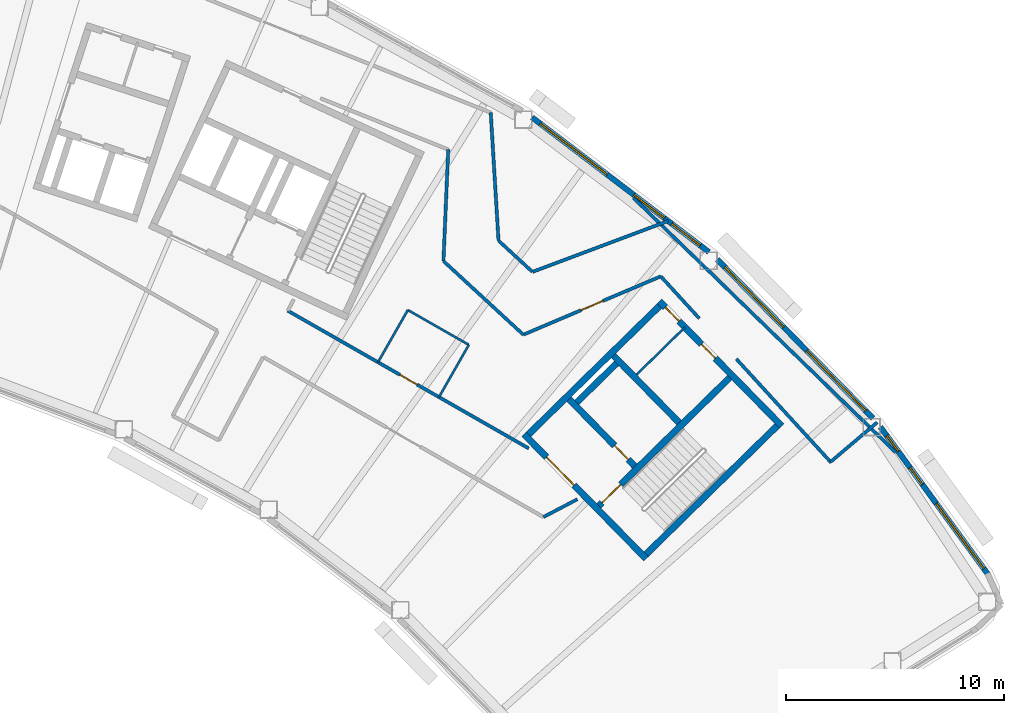
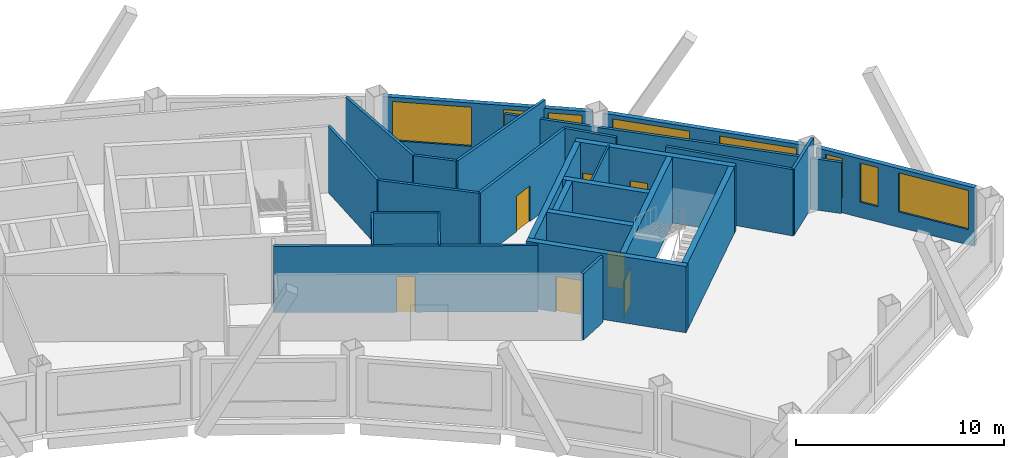
# One storey, part 8 of 12: 27 walls, 8 windows, 7 doors, 15 openings.
"""IFC4 building model written with IfcOpenShell, lengths in metres."""

from ifc_helpers import new_model, si_unit, direction, frame, frame_2d, origin, place, context, subcontext, project, spatial, rectangle, extrude, material, layer, layer_set, type_object, element, fill, save


model = new_model("IFC4")

# Units and contexts
model_context = context("Model", 3, precision=1e-05, world=origin(), true_north=direction((0.0, 1.0)))
body_context = subcontext(model_context, "Body", "Model", "MODEL_VIEW")
ifc_project = project(units=[si_unit("LENGTHUNIT", "METRE"), si_unit("AREAUNIT", "SQUARE_METRE"), si_unit("VOLUMEUNIT", "CUBIC_METRE"), si_unit("PLANEANGLEUNIT", "RADIAN"), si_unit("MASSUNIT", "GRAM", prefix="KILO")], contexts=[model_context])

# Site, building, storey
site_placement = place(None, origin())
site = spatial("IfcSite", under=ifc_project, at=site_placement, CompositionType="ELEMENT")
building_placement = place(site_placement, origin())
building = spatial("IfcBuilding", under=site, at=building_placement, Name="Tuul Gate Civic Tower", CompositionType="ELEMENT")
storey_placement = place(building_placement, frame((0.0, 0.0, 328.10009765625)))
storey = spatial("IfcBuildingStorey", under=building, at=storey_placement, Name="Level 74", CompositionType="ELEMENT", Elevation=328.10009765625)

# Wall, opening, door
ifc_material_1 = material(Name="Concrete C50/60", Category="concrete")
ifc_layer_1 = layer(ifc_material_1, 0.300048828125)
ifc_layer_set_1 = layer_set([ifc_layer_1], Name="Concrete C50/60")
wall_type_1 = type_object("IfcWallType", Name="Core wall C50/60", PredefinedType="SHEAR", material=ifc_layer_set_1)
wall_1_placement = place(storey_placement, frame((48.22509765625, -18.327880859375, 0.0), z_axis=(0.0, 0.0, 1.0), x_axis=(-0.700021979774, 0.714121297703, 0.0)))
wall_1 = element("IfcWall", 1, at=wall_1_placement, inside=storey, type_object=wall_type_1, Name="Core wall", PredefinedType="SHEAR", context=body_context, shape_type="SweptSolid", body=[
    extrude(rectangle(XDim=8.0, YDim=0.300048828125, at=frame_2d((4.0, 0.0))), origin(), (0.0, 0.0, 1.0), 3.89990234375),
])
opening_1_placement = place(wall_1_placement, frame((4.72509765625, 0.0, 0.0)))
opening_1 = element("IfcOpeningElement", 2, at=opening_1_placement, cuts=wall_1, Name="Opening LB-E1-LOBBY-1", PredefinedType="OPENING", context=body_context, shape_type="SweptSolid", body=[
    extrude(rectangle(XDim=1.800048828125, YDim=2.10009765625, at=frame_2d((0.89990234375, 1.050048828125))), frame((0.0, 0.16015625, 0.0), z_axis=(0.0, -1.0, 0.0), x_axis=(1.0, 0.0, 0.0)), (0.0, 0.0, 1.0), 0.320068359375),
])
ifc_material_2 = material(Name="Steel", Category="steel")
door_type_1 = type_object("IfcDoorType", Name="Lobby door", OperationType="DOUBLE_DOOR_SINGLE_SWING", PredefinedType="DOOR", material=ifc_material_2)
door_1_placement = place(opening_1_placement, frame((1.800048828125, 0.0, 0.0), z_axis=(0.0, 0.0, 1.0), x_axis=(-1.0, 0.0, 0.0)))
door_1 = element("IfcDoor", 3, at=door_1_placement, inside=storey, type_object=door_type_1, Name="Lobby door E1-LOBBY", OperationType="DOUBLE_DOOR_SINGLE_SWING", OverallHeight=2.10009765625, OverallWidth=1.800048828125, PredefinedType="DOOR", context=body_context, shape_type="SweptSolid", body=[
    extrude(rectangle(XDim=1.800048828125, YDim=2.10009765625, at=frame_2d((0.900146484375, 1.050048828125))), frame((0.0, 0.02490234375, 0.0), z_axis=(0.0, -1.0, 0.0), x_axis=(1.0, 0.0, 0.0)), (0.0, 0.0, 1.0), 0.050048828125),
])
fill(opening_1, door_1)

wall_2_placement = place(storey_placement, frame((47.701904296875, -14.079833984375, 0.0), z_axis=(0.0, 0.0, 1.0), x_axis=(-0.700002721075, 0.714140175657, 0.0)))
wall_2 = element("IfcWall", 4, at=wall_2_placement, inside=storey, type_object=wall_type_1, Name="Core wall", PredefinedType="SHEAR", context=body_context, shape_type="SweptSolid", body=[
    extrude(rectangle(XDim=4.300048828125, YDim=0.300048828125, at=frame_2d((2.14990234375, 0.0))), origin(), (0.0, 0.0, 1.0), 3.89990234375),
])
opening_2_placement = place(wall_2_placement, frame((0.425048828125, 0.0, 0.0)))
opening_2 = element("IfcOpeningElement", 5, at=opening_2_placement, cuts=wall_2, Name="Opening FB-E1A1", PredefinedType="OPENING", context=body_context, shape_type="SweptSolid", body=[
    extrude(rectangle(XDim=0.89990234375, YDim=2.10009765625, at=frame_2d((0.449951171875, 1.050048828125))), frame((0.0, 0.16015625, 0.0), z_axis=(0.0, -1.0, 0.0), x_axis=(1.0, 0.0, 0.0)), (0.0, 0.0, 1.0), 0.320068359375),
])
ifc_material_3 = material(Name="Steel", Category="steel")
door_type_2 = type_object("IfcDoorType", Name="Store door", OperationType="NOTDEFINED", PredefinedType="DOOR", material=ifc_material_3)
door_2_placement = place(opening_2_placement, frame((0.89990234375, 0.0, 0.0), z_axis=(0.0, 0.0, 1.0), x_axis=(-1.0, 0.0, 0.0)))
door_2 = element("IfcDoor", 6, at=door_2_placement, inside=storey, type_object=door_type_2, Name="Store door E1A1", OperationType="SINGLE_SWING_RIGHT", OverallHeight=2.10009765625, OverallWidth=0.89990234375, PredefinedType="DOOR", context=body_context, shape_type="SweptSolid", body=[
    extrude(rectangle(XDim=0.89990234375, YDim=2.10009765625, at=frame_2d((0.449951171875, 1.050048828125))), frame((0.0, 0.02490234375, 0.0), z_axis=(0.0, -1.0, 0.0), x_axis=(1.0, 0.0, 0.0)), (0.0, 0.0, 1.0), 0.050048828125),
])
fill(opening_2, door_2)

# Wall
wall_3_placement = place(storey_placement, frame((49.737060546875, -12.0849609375, 0.0), z_axis=(0.0, 0.0, 1.0), x_axis=(-0.700002721075, 0.714140175657, 0.0)))
element("IfcWall", 7, at=wall_3_placement, inside=storey, type_object=wall_type_1, Name="Core wall", PredefinedType="SHEAR", context=body_context, shape_type="SweptSolid", body=[
    extrude(rectangle(XDim=4.300048828125, YDim=0.300048828125, at=frame_2d((2.14990234375, 0.0))), origin(), (0.0, 0.0, 1.0), 3.89990234375),
])

# Wall, openings, doors
wall_4_placement = place(storey_placement, frame((54.43798828125, -12.23779296875, 0.0), z_axis=(0.0, 0.0, 1.0), x_axis=(-0.700021979774, 0.714121297703, 0.0)))
wall_4 = element("IfcWall", 8, at=wall_4_placement, inside=storey, type_object=wall_type_1, Name="Core wall", PredefinedType="SHEAR", context=body_context, shape_type="SweptSolid", body=[
    extrude(rectangle(XDim=8.0, YDim=0.300048828125, at=frame_2d((4.0, 0.0))), origin(), (0.0, 0.0, 1.0), 3.89990234375),
])
opening_3_placement = place(wall_4_placement, frame((4.34375, 0.0, 0.0)))
opening_3 = element("IfcOpeningElement", 9, at=opening_3_placement, cuts=wall_4, Name="Opening AB-D16", PredefinedType="OPENING", context=body_context, shape_type="SweptSolid", body=[
    extrude(rectangle(XDim=0.89990234375, YDim=2.10009765625, at=frame_2d((0.449951171875, 1.050048828125))), frame((0.0, 0.16015625, 0.0), z_axis=(0.0, -1.0, 0.0), x_axis=(1.0, 0.0, 0.0)), (0.0, 0.0, 1.0), 0.320068359375),
])
opening_4_placement = place(wall_4_placement, frame((6.71875, 0.0, 0.0)))
opening_4 = element("IfcOpeningElement", 10, at=opening_4_placement, cuts=wall_4, Name="Opening AB-D17", PredefinedType="OPENING", context=body_context, shape_type="SweptSolid", body=[
    extrude(rectangle(XDim=0.89990234375, YDim=2.10009765625, at=frame_2d((0.449951171875, 1.050048828125))), frame((0.0, 0.16015625, 0.0), z_axis=(0.0, -1.0, 0.0), x_axis=(1.0, 0.0, 0.0)), (0.0, 0.0, 1.0), 0.320068359375),
])
ifc_material_4 = material(Name="Timber door leaf", Category="wood")
door_type_3 = type_object("IfcDoorType", Name="Door D09", OperationType="NOTDEFINED", PredefinedType="DOOR", material=ifc_material_4)
door_3_placement = place(opening_3_placement, origin())
door_3 = element("IfcDoor", 11, at=door_3_placement, inside=storey, type_object=door_type_3, Name="Door AB-D16", OperationType="SINGLE_SWING_LEFT", OverallHeight=2.10009765625, OverallWidth=0.89990234375, PredefinedType="DOOR", context=body_context, shape_type="SweptSolid", body=[
    extrude(rectangle(XDim=0.89990234375, YDim=2.10009765625, at=frame_2d((0.449951171875, 1.050048828125))), frame((0.0, 0.02490234375, 0.0), z_axis=(0.0, -1.0, 0.0), x_axis=(1.0, 0.0, 0.0)), (0.0, 0.0, 1.0), 0.050048828125),
])
fill(opening_3, door_3)
door_4_placement = place(opening_4_placement, origin())
door_4 = element("IfcDoor", 12, at=door_4_placement, inside=storey, type_object=door_type_3, Name="Door AB-D17", OperationType="SINGLE_SWING_LEFT", OverallHeight=2.10009765625, OverallWidth=0.89990234375, PredefinedType="DOOR", context=body_context, shape_type="SweptSolid", body=[
    extrude(rectangle(XDim=0.89990234375, YDim=2.10009765625, at=frame_2d((0.449951171875, 1.050048828125))), frame((0.0, 0.02490234375, 0.0), z_axis=(0.0, -1.0, 0.0), x_axis=(1.0, 0.0, 0.0)), (0.0, 0.0, 1.0), 0.050048828125),
])
fill(opening_4, door_4)

# Wall
wall_5_placement = place(storey_placement, frame((48.227294921875, -18.115966796875, 0.0), z_axis=(0.0, 0.0, 1.0), x_axis=(0.714105315431, 0.700038283577, 0.0)))
element("IfcWall", 13, at=wall_5_placement, inside=storey, type_object=wall_type_1, Name="Core wall", PredefinedType="SHEAR", context=body_context, shape_type="SweptSolid", body=[
    extrude(rectangle(XDim=8.400146484375, YDim=0.300048828125, at=frame_2d((4.2001953125, 0.0))), origin(), (0.0, 0.0, 1.0), 3.89990234375),
])

# Wall, opening, door
wall_6_placement = place(storey_placement, frame((46.05712890625, -15.902099609375, 0.0), z_axis=(0.0, 0.0, 1.0), x_axis=(0.714134086973, 0.700008932674, 0.0)))
wall_6 = element("IfcWall", 14, at=wall_6_placement, inside=storey, type_object=wall_type_1, Name="Core wall", PredefinedType="SHEAR", context=body_context, shape_type="SweptSolid", body=[
    extrude(rectangle(XDim=8.400146484375, YDim=0.300048828125, at=frame_2d((4.2001953125, 0.0))), origin(), (0.0, 0.0, 1.0), 3.89990234375),
])
opening_5_placement = place(wall_6_placement, frame((0.199951171875, 0.0, 0.0)))
opening_5 = element("IfcOpeningElement", 15, at=opening_5_placement, cuts=wall_6, Name="Opening SD-ST-3", PredefinedType="OPENING", context=body_context, shape_type="SweptSolid", body=[
    extrude(rectangle(XDim=1.199951171875, YDim=2.10009765625, at=frame_2d((0.60009765625, 1.050048828125))), frame((0.0, 0.16015625, 0.0), z_axis=(0.0, -1.0, 0.0), x_axis=(1.0, 0.0, 0.0)), (0.0, 0.0, 1.0), 0.320068359375),
])
ifc_material_5 = material(Name="Steel", Category="steel")
door_type_4 = type_object("IfcDoorType", Name="Stair door", OperationType="NOTDEFINED", PredefinedType="DOOR", material=ifc_material_5)
door_5_placement = place(opening_5_placement, origin())
door_5 = element("IfcDoor", 16, at=door_5_placement, inside=storey, type_object=door_type_4, Name="Stair door ST-3", OperationType="SINGLE_SWING_LEFT", OverallHeight=2.10009765625, OverallWidth=1.199951171875, PredefinedType="DOOR", context=body_context, shape_type="SweptSolid", body=[
    extrude(rectangle(XDim=1.199951171875, YDim=2.10009765625, at=frame_2d((0.60009765625, 1.050048828125))), frame((0.0, 0.02490234375, 0.0), z_axis=(0.0, -1.0, 0.0), x_axis=(1.0, 0.0, 0.0)), (0.0, 0.0, 1.0), 0.050048828125),
])
fill(opening_5, door_5)

# Walls
wall_7_placement = place(storey_placement, frame((45.0439453125, -11.154052734375, 0.0), z_axis=(0.0, 0.0, 1.0), x_axis=(0.714108498262, 0.700035036773, 0.0)))
element("IfcWall", 17, at=wall_7_placement, inside=storey, type_object=wall_type_1, Name="Core wall", PredefinedType="SHEAR", context=body_context, shape_type="SweptSolid", body=[
    extrude(rectangle(XDim=2.550048828125, YDim=0.300048828125, at=frame_2d((1.27490234375, 0.0))), origin(), (0.0, 0.0, 1.0), 3.89990234375),
])
wall_8_placement = place(storey_placement, frame((42.837158203125, -12.616943359375, 0.0), z_axis=(0.0, 0.0, 1.0), x_axis=(0.714119844755, 0.700023461983, 0.0)))
element("IfcWall", 18, at=wall_8_placement, inside=storey, type_object=wall_type_1, Name="Core wall", PredefinedType="SHEAR", context=body_context, shape_type="SweptSolid", body=[
    extrude(rectangle(XDim=8.39990234375, YDim=0.300048828125, at=frame_2d((4.199951171875, 0.0))), origin(), (0.0, 0.0, 1.0), 3.89990234375),
])
ifc_material_6 = material(Name="Gypsum board partition")
ifc_layer_2 = layer(ifc_material_6, 0.14990234375)
ifc_layer_set_2 = layer_set([ifc_layer_2], Name="Gypsum board partition")
wall_type_2 = type_object("IfcWallType", Name="Corridor wall P150", PredefinedType="PARTITIONING", material=ifc_layer_set_2)
wall_9_placement = place(storey_placement, frame((56.680419921875, -13.884521484375, 0.0), z_axis=(0.0, 0.0, 1.0), x_axis=(0.762827080331, 0.646602540603, 0.0)))
element("IfcWall", 19, at=wall_9_placement, inside=storey, type_object=wall_type_2, Name="p005", PredefinedType="PARTITIONING", context=body_context, shape_type="SweptSolid", body=[
    extrude(rectangle(XDim=2.800048828125, YDim=0.14990234375, at=frame_2d((1.39990234375, 0.0))), origin(), (0.0, 0.0, 1.0), 3.89990234375),
])
wall_10_placement = place(storey_placement, frame((43.022705078125, -5.169677734375, 0.0), z_axis=(0.0, 0.0, 1.0), x_axis=(0.936259625326, 0.351308858391, 0.0)))
element("IfcWall", 20, at=wall_10_placement, inside=storey, type_object=wall_type_2, Name="p008", PredefinedType="PARTITIONING", context=body_context, shape_type="SweptSolid", body=[
    extrude(rectangle(XDim=6.637451171875, YDim=0.14990234375, at=frame_2d((3.31884765625, 0.0))), origin(), (0.0, 0.0, 1.0), 3.89990234375),
])
wall_11_placement = place(storey_placement, frame((41.4609375, -3.74462890625, 0.0), z_axis=(0.0, 0.0, 1.0), x_axis=(0.73520477324, -0.677845071831, 0.0)))
element("IfcWall", 21, at=wall_11_placement, inside=storey, type_object=wall_type_2, Name="p009", PredefinedType="PARTITIONING", context=body_context, shape_type="SweptSolid", body=[
    extrude(rectangle(XDim=2.098388671875, YDim=0.14990234375, at=frame_2d((1.04931640625, 0.0))), origin(), (0.0, 0.0, 1.0), 3.89990234375),
])
wall_12_placement = place(storey_placement, frame((41.09814453125, 2.126708984375, 0.0), z_axis=(0.0, 0.0, 1.0), x_axis=(0.060778723393, -0.99815126448, 0.0)))
element("IfcWall", 22, at=wall_12_placement, inside=storey, type_object=wall_type_2, Name="p010", PredefinedType="PARTITIONING", context=body_context, shape_type="SweptSolid", body=[
    extrude(rectangle(XDim=5.87255859375, YDim=0.14990234375, at=frame_2d((2.936279296875, 0.0))), origin(), (0.0, 0.0, 1.0), 3.89990234375),
])

# Wall, opening, door
wall_13_placement = place(storey_placement, frame((31.793701171875, -6.953857421875, 0.0), z_axis=(0.0, 0.0, 1.0), x_axis=(0.868275010621, -0.496083164329, 0.0)))
wall_13 = element("IfcWall", 23, at=wall_13_placement, inside=storey, type_object=wall_type_2, Name="p015", PredefinedType="PARTITIONING", context=body_context, shape_type="SweptSolid", body=[
    extrude(rectangle(XDim=12.72802734375, YDim=0.14990234375, at=frame_2d((6.364013671875, 0.0))), origin(), (0.0, 0.0, 1.0), 3.89990234375),
])
opening_6_placement = place(wall_13_placement, frame((5.923583984375, 0.0, 0.0)))
opening_6 = element("IfcOpeningElement", 24, at=opening_6_placement, cuts=wall_13, Name="Opening AB-D09", PredefinedType="OPENING", context=body_context, shape_type="SweptSolid", body=[
    extrude(rectangle(XDim=0.89990234375, YDim=2.10009765625, at=frame_2d((0.449951171875, 1.050048828125))), frame((0.0, 0.0849609375, 0.0), z_axis=(0.0, -1.0, 0.0), x_axis=(1.0, 0.0, 0.0)), (0.0, 0.0, 1.0), 0.169921875),
])
door_6_placement = place(opening_6_placement, origin())
door_6 = element("IfcDoor", 25, at=door_6_placement, inside=storey, type_object=door_type_3, Name="Door AB-D09", OperationType="SINGLE_SWING_RIGHT", OverallHeight=2.10009765625, OverallWidth=0.89990234375, PredefinedType="DOOR", context=body_context, shape_type="SweptSolid", body=[
    extrude(rectangle(XDim=0.89990234375, YDim=2.10009765625, at=frame_2d((0.449951171875, 1.050048828125))), frame((0.0, 0.02490234375, 0.0), z_axis=(0.0, -1.0, 0.0), x_axis=(1.0, 0.0, 0.0)), (0.0, 0.0, 1.0), 0.050048828125),
])
fill(opening_6, door_6)

# Walls
wall_14_placement = place(storey_placement, frame((48.8955078125, -5.377685546875, 0.0), z_axis=(0.0, 0.0, 1.0), x_axis=(0.674981058804, -0.737835056267, 0.0)))
element("IfcWall", 26, at=wall_14_placement, inside=storey, type_object=wall_type_2, Name="p034", PredefinedType="PARTITIONING", context=body_context, shape_type="SweptSolid", body=[
    extrude(rectangle(XDim=2.617919921875, YDim=0.14990234375, at=frame_2d((1.30908203125, 0.0))), origin(), (0.0, 0.0, 1.0), 3.89990234375),
])
wall_15_placement = place(storey_placement, frame((52.35595703125, -9.160400390625, 0.0), z_axis=(0.0, 0.0, 1.0), x_axis=(0.675011270059, -0.737807417484, 0.0)))
element("IfcWall", 27, at=wall_15_placement, inside=storey, type_object=wall_type_2, Name="p035", PredefinedType="PARTITIONING", context=body_context, shape_type="SweptSolid", body=[
    extrude(rectangle(XDim=6.449951171875, YDim=0.14990234375, at=frame_2d((3.22509765625, 0.0))), origin(), (0.0, 0.0, 1.0), 3.89990234375),
])
wall_16_placement = place(storey_placement, frame((43.513427734375, -16.4140625, 0.0), z_axis=(0.0, 0.0, 1.0), x_axis=(0.885532234034, 0.464577940164, 0.0)))
element("IfcWall", 28, at=wall_16_placement, inside=storey, type_object=wall_type_2, Name="p042", PredefinedType="PARTITIONING", context=body_context, shape_type="SweptSolid", body=[
    extrude(rectangle(XDim=1.75732421875, YDim=0.14990234375, at=frame_2d((0.878662109375, 0.0))), origin(), (0.0, 0.0, 1.0), 3.89990234375),
])

# Wall, opening, door
wall_17_placement = place(storey_placement, frame((42.593505859375, -8.05322265625, 0.0), z_axis=(0.0, 0.0, 1.0), x_axis=(0.920478795209, 0.390792512172, 0.0)))
wall_17 = element("IfcWall", 29, at=wall_17_placement, inside=storey, type_object=wall_type_2, Name="p076", PredefinedType="PARTITIONING", context=body_context, shape_type="SweptSolid", body=[
    extrude(rectangle(XDim=6.846435546875, YDim=0.14990234375, at=frame_2d((3.42333984375, 0.0))), origin(), (0.0, 0.0, 1.0), 3.89990234375),
])
opening_7_placement = place(wall_17_placement, frame((2.873291015625, 0.0, 0.0)))
opening_7 = element("IfcOpeningElement", 30, at=opening_7_placement, cuts=wall_17, Name="Opening AB-D13", PredefinedType="OPENING", context=body_context, shape_type="SweptSolid", body=[
    extrude(rectangle(XDim=1.10009765625, YDim=2.10009765625, at=frame_2d((0.550048828125, 1.050048828125))), frame((0.0, 0.0849609375, 0.0), z_axis=(0.0, -1.0, 0.0), x_axis=(1.0, 0.0, 0.0)), (0.0, 0.0, 1.0), 0.169921875),
])
ifc_material_7 = material(Name="Timber door leaf", Category="wood")
door_type_5 = type_object("IfcDoorType", Name="Door D11", OperationType="NOTDEFINED", PredefinedType="DOOR", material=ifc_material_7)
door_7_placement = place(opening_7_placement, frame((1.10009765625, 0.0, 0.0), z_axis=(0.0, 0.0, 1.0), x_axis=(-1.0, 0.0, 0.0)))
door_7 = element("IfcDoor", 31, at=door_7_placement, inside=storey, type_object=door_type_5, Name="Door AB-D13", OperationType="SINGLE_SWING_LEFT", OverallHeight=2.10009765625, OverallWidth=1.10009765625, PredefinedType="DOOR", context=body_context, shape_type="SweptSolid", body=[
    extrude(rectangle(XDim=1.10009765625, YDim=2.10009765625, at=frame_2d((0.550048828125, 1.050048828125))), frame((0.0, 0.02490234375, 0.0), z_axis=(0.0, -1.0, 0.0), x_axis=(1.0, 0.0, 0.0)), (0.0, 0.0, 1.0), 0.050048828125),
])
fill(opening_7, door_7)

# Walls
wall_18_placement = place(storey_placement, frame((38.930419921875, -4.676025390625, 0.0), z_axis=(0.0, 0.0, 1.0), x_axis=(0.735214732074, -0.677834270114, 0.0)))
element("IfcWall", 32, at=wall_18_placement, inside=storey, type_object=wall_type_2, Name="p077", PredefinedType="PARTITIONING", context=body_context, shape_type="SweptSolid", body=[
    extrude(rectangle(XDim=4.982421875, YDim=0.14990234375, at=frame_2d((2.4912109375, 0.0))), origin(), (0.0, 0.0, 1.0), 3.89990234375),
])
wall_19_placement = place(storey_placement, frame((38.930419921875, -4.676025390625, 0.0), z_axis=(0.0, 0.0, 1.0), x_axis=(0.042938252955, 0.999077727924, 0.0)))
element("IfcWall", 33, at=wall_19_placement, inside=storey, type_object=wall_type_2, Name="p078", PredefinedType="PARTITIONING", context=body_context, shape_type="SweptSolid", body=[
    extrude(rectangle(XDim=5.1171875, YDim=0.14990234375, at=frame_2d((2.55859375, 0.0))), origin(), (0.0, 0.0, 1.0), 3.89990234375),
])
ifc_material_8 = material(Name="Gypsum board partition")
ifc_layer_3 = layer(ifc_material_8, 0.14990234375)
ifc_layer_set_3 = layer_set([ifc_layer_3], Name="Gypsum board partition")
wall_type_3 = type_object("IfcWallType", Name="Corridor wall P150 3000 HIGH", PredefinedType="PARTITIONING", material=ifc_layer_set_3)
wall_20_placement = place(storey_placement, frame((47.64111328125, -1.7802734375, 0.0), z_axis=(0.0, 0.0, 1.0), x_axis=(0.717632546103, -0.696421947367, 0.0)))
element("IfcWall", 34, at=wall_20_placement, inside=storey, type_object=wall_type_3, Name="p007", PredefinedType="PARTITIONING", context=body_context, shape_type="SweptSolid", body=[
    extrude(rectangle(XDim=16.74755859375, YDim=0.14990234375, at=frame_2d((8.373779296875, 0.0))), origin(), (0.0, 0.0, 1.0), 3.0),
])

# Wall, openings, windows
ifc_material_9 = material(Name="Precast concrete C40/50", Category="concrete")
ifc_layer_4 = layer(ifc_material_9, 0.25)
ifc_layer_set_4 = layer_set([ifc_layer_4], Name="Precast concrete C40/50")
wall_type_4 = type_object("IfcWallType", Name="External wall", PredefinedType="STANDARD", material=ifc_layer_set_4)
wall_21_placement = place(storey_placement, frame((63.881103515625, -19.017822265625, 0.0), z_axis=(0.0, 0.0, 1.0), x_axis=(-0.58975151757, 0.80758476182, 0.0)))
wall_21 = element("IfcWall", 35, at=wall_21_placement, inside=storey, type_object=wall_type_4, Name="External wall", PredefinedType="STANDARD", context=body_context, shape_type="SweptSolid", body=[
    extrude(rectangle(XDim=8.33740234375, YDim=0.25, at=frame_2d((4.168701171875, 0.0))), origin(), (0.0, 0.0, 1.0), 3.449951171875),
])
opening_8_placement = place(wall_21_placement, frame((0.30078125, 0.0, 0.89990234375)))
opening_8 = element("IfcOpeningElement", 36, at=opening_8_placement, cuts=wall_21, Name="Opening W21", PredefinedType="OPENING", context=body_context, shape_type="SweptSolid", body=[
    extrude(rectangle(XDim=3.699951171875, YDim=2.300048828125, at=frame_2d((1.85009765625, 1.14990234375))), frame((0.0, 0.135009765625, 0.0), z_axis=(0.0, -1.0, 0.0), x_axis=(1.0, 0.0, 0.0)), (0.0, 0.0, 1.0), 0.27001953125),
])
opening_9_placement = place(wall_21_placement, frame((5.077392578125, 0.0, 0.89990234375)))
opening_9 = element("IfcOpeningElement", 37, at=opening_9_placement, cuts=wall_21, Name="Opening W71", PredefinedType="OPENING", context=body_context, shape_type="SweptSolid", body=[
    extrude(rectangle(XDim=0.949951171875, YDim=2.300048828125, at=frame_2d((0.47509765625, 1.14990234375))), frame((0.0, 0.135009765625, 0.0), z_axis=(0.0, -1.0, 0.0), x_axis=(1.0, 0.0, 0.0)), (0.0, 0.0, 1.0), 0.27001953125),
])
opening_10_placement = place(wall_21_placement, frame((6.94091796875, 0.0, 0.89990234375)))
opening_10 = element("IfcOpeningElement", 38, at=opening_10_placement, cuts=wall_21, Name="Opening W73", PredefinedType="OPENING", context=body_context, shape_type="SweptSolid", body=[
    extrude(rectangle(XDim=0.89990234375, YDim=2.300048828125, at=frame_2d((0.449951171875, 1.14990234375))), frame((0.0, 0.135009765625, 0.0), z_axis=(0.0, -1.0, 0.0), x_axis=(1.0, 0.0, 0.0)), (0.0, 0.0, 1.0), 0.27001953125),
])
ifc_material_10 = material(Name="Glass", Category="glass")
window_type_1 = type_object("IfcWindowType", Name="Window 900 x 2300", PartitioningType="SINGLE_PANEL", PredefinedType="WINDOW", material=ifc_material_10)
window_1_placement = place(opening_10_placement, origin())
window_1 = element("IfcWindow", 39, at=window_1_placement, inside=storey, type_object=window_type_1, Name="Window", OverallHeight=2.300048828125, OverallWidth=0.89990234375, PartitioningType="SINGLE_PANEL", PredefinedType="WINDOW", context=body_context, shape_type="SweptSolid", body=[
    extrude(rectangle(XDim=0.89990234375, YDim=2.300048828125, at=frame_2d((0.449951171875, 1.14990234375))), frame((0.0, 0.030029296875, 0.0), z_axis=(0.0, -1.0, 0.0), x_axis=(1.0, 0.0, 0.0)), (0.0, 0.0, 1.0), 0.06005859375),
])
fill(opening_10, window_1)
ifc_material_11 = material(Name="Glass", Category="glass")
window_type_2 = type_object("IfcWindowType", Name="Window 950 x 2300", PartitioningType="SINGLE_PANEL", PredefinedType="WINDOW", material=ifc_material_11)
window_2_placement = place(opening_9_placement, origin())
window_2 = element("IfcWindow", 40, at=window_2_placement, inside=storey, type_object=window_type_2, Name="Window", OverallHeight=2.300048828125, OverallWidth=0.949951171875, PartitioningType="SINGLE_PANEL", PredefinedType="WINDOW", context=body_context, shape_type="SweptSolid", body=[
    extrude(rectangle(XDim=0.949951171875, YDim=2.300048828125, at=frame_2d((0.47509765625, 1.14990234375))), frame((0.0, 0.030029296875, 0.0), z_axis=(0.0, -1.0, 0.0), x_axis=(1.0, 0.0, 0.0)), (0.0, 0.0, 1.0), 0.06005859375),
])
fill(opening_9, window_2)
ifc_material_12 = material(Name="Glass", Category="glass")
window_type_3 = type_object("IfcWindowType", Name="Window W21 3700 x 2300", PartitioningType="SINGLE_PANEL", PredefinedType="WINDOW", material=ifc_material_12)
window_3_placement = place(opening_8_placement, origin())
window_3 = element("IfcWindow", 41, at=window_3_placement, inside=storey, type_object=window_type_3, Name="Window", OverallHeight=2.300048828125, OverallWidth=3.699951171875, PartitioningType="SINGLE_PANEL", PredefinedType="WINDOW", context=body_context, shape_type="SweptSolid", body=[
    extrude(rectangle(XDim=3.699951171875, YDim=2.300048828125, at=frame_2d((1.85009765625, 1.14990234375))), frame((0.0, 0.030029296875, 0.0), z_axis=(0.0, -1.0, 0.0), x_axis=(1.0, 0.0, 0.0)), (0.0, 0.0, 1.0), 0.06005859375),
])
fill(opening_8, window_3)

wall_22_placement = place(storey_placement, frame((58.627197265625, -11.887939453125, 0.0), z_axis=(0.0, 0.0, 1.0), x_axis=(-0.700055609081, 0.714088330807, 0.0)))
wall_22 = element("IfcWall", 42, at=wall_22_placement, inside=storey, type_object=wall_type_4, Name="External wall", PredefinedType="STANDARD", context=body_context, shape_type="SweptSolid", body=[
    extrude(rectangle(XDim=10.1953125, YDim=0.25, at=frame_2d((5.09765625, 0.0))), origin(), (0.0, 0.0, 1.0), 3.449951171875),
])
opening_11_placement = place(wall_22_placement, frame((0.48681640625, 0.0, 0.89990234375)))
opening_11 = element("IfcOpeningElement", 43, at=opening_11_placement, cuts=wall_22, Name="Opening W22", PredefinedType="OPENING", context=body_context, shape_type="SweptSolid", body=[
    extrude(rectangle(XDim=3.85009765625, YDim=2.300048828125, at=frame_2d((1.925048828125, 1.14990234375))), frame((0.0, 0.135009765625, 0.0), z_axis=(0.0, -1.0, 0.0), x_axis=(1.0, 0.0, 0.0)), (0.0, 0.0, 1.0), 0.27001953125),
])
opening_12_placement = place(wall_22_placement, frame((5.85791015625, 0.0, 0.89990234375)))
opening_12 = element("IfcOpeningElement", 44, at=opening_12_placement, cuts=wall_22, Name="Opening W22", PredefinedType="OPENING", context=body_context, shape_type="SweptSolid", body=[
    extrude(rectangle(XDim=3.85009765625, YDim=2.300048828125, at=frame_2d((1.925048828125, 1.14990234375))), frame((0.0, 0.135009765625, 0.0), z_axis=(0.0, -1.0, 0.0), x_axis=(1.0, 0.0, 0.0)), (0.0, 0.0, 1.0), 0.27001953125),
])
ifc_material_13 = material(Name="Glass", Category="glass")
window_type_4 = type_object("IfcWindowType", Name="Window W22 3850 x 2300", PartitioningType="SINGLE_PANEL", PredefinedType="WINDOW", material=ifc_material_13)
window_4_placement = place(opening_11_placement, origin())
window_4 = element("IfcWindow", 45, at=window_4_placement, inside=storey, type_object=window_type_4, Name="Window", OverallHeight=2.300048828125, OverallWidth=3.85009765625, PartitioningType="SINGLE_PANEL", PredefinedType="WINDOW", context=body_context, shape_type="SweptSolid", body=[
    extrude(rectangle(XDim=3.85009765625, YDim=2.300048828125, at=frame_2d((1.925048828125, 1.14990234375))), frame((0.0, 0.030029296875, 0.0), z_axis=(0.0, -1.0, 0.0), x_axis=(1.0, 0.0, 0.0)), (0.0, 0.0, 1.0), 0.06005859375),
])
fill(opening_11, window_4)
window_5_placement = place(opening_12_placement, origin())
window_5 = element("IfcWindow", 46, at=window_5_placement, inside=storey, type_object=window_type_4, Name="Window", OverallHeight=2.300048828125, OverallWidth=3.85009765625, PartitioningType="SINGLE_PANEL", PredefinedType="WINDOW", context=body_context, shape_type="SweptSolid", body=[
    extrude(rectangle(XDim=3.85009765625, YDim=2.300048828125, at=frame_2d((1.925048828125, 1.14990234375))), frame((0.0, 0.030029296875, 0.0), z_axis=(0.0, -1.0, 0.0), x_axis=(1.0, 0.0, 0.0)), (0.0, 0.0, 1.0), 0.06005859375),
])
fill(opening_12, window_5)

wall_23_placement = place(storey_placement, frame((51.100341796875, -4.262939453125, 0.0), z_axis=(0.0, 0.0, 1.0), x_axis=(-0.795619798905, 0.605796282252, 0.0)))
wall_23 = element("IfcWall", 47, at=wall_23_placement, inside=storey, type_object=wall_type_4, Name="External wall", PredefinedType="STANDARD", context=body_context, shape_type="SweptSolid", body=[
    extrude(rectangle(XDim=10.18896484375, YDim=0.25, at=frame_2d((5.094482421875, 0.0))), origin(), (0.0, 0.0, 1.0), 3.449951171875),
])
opening_13_placement = place(wall_23_placement, frame((5.865478515625, 0.0, 0.89990234375)))
opening_13 = element("IfcOpeningElement", 48, at=opening_13_placement, cuts=wall_23, Name="Opening W22", PredefinedType="OPENING", context=body_context, shape_type="SweptSolid", body=[
    extrude(rectangle(XDim=3.85009765625, YDim=2.300048828125, at=frame_2d((1.925048828125, 1.14990234375))), frame((0.0, 0.135009765625, 0.0), z_axis=(0.0, -1.0, 0.0), x_axis=(1.0, 0.0, 0.0)), (0.0, 0.0, 1.0), 0.27001953125),
])
opening_14_placement = place(wall_23_placement, frame((0.4951171875, 0.0, 0.89990234375)))
opening_14 = element("IfcOpeningElement", 49, at=opening_14_placement, cuts=wall_23, Name="Opening W55", PredefinedType="OPENING", context=body_context, shape_type="SweptSolid", body=[
    extrude(rectangle(XDim=1.64990234375, YDim=2.300048828125, at=frame_2d((0.824951171875, 1.14990234375))), frame((0.0, 0.135009765625, 0.0), z_axis=(0.0, -1.0, 0.0), x_axis=(1.0, 0.0, 0.0)), (0.0, 0.0, 1.0), 0.27001953125),
])
opening_15_placement = place(wall_23_placement, frame((2.570068359375, 0.0, 0.89990234375)))
opening_15 = element("IfcOpeningElement", 50, at=opening_15_placement, cuts=wall_23, Name="Opening W67", PredefinedType="OPENING", context=body_context, shape_type="SweptSolid", body=[
    extrude(rectangle(XDim=1.75, YDim=2.300048828125, at=frame_2d((0.875, 1.14990234375))), frame((0.0, 0.135009765625, 0.0), z_axis=(0.0, -1.0, 0.0), x_axis=(1.0, 0.0, 0.0)), (0.0, 0.0, 1.0), 0.27001953125),
])
ifc_material_14 = material(Name="Glass", Category="glass")
window_type_5 = type_object("IfcWindowType", Name="Window 1650 x 2300", PartitioningType="SINGLE_PANEL", PredefinedType="WINDOW", material=ifc_material_14)
window_6_placement = place(opening_14_placement, origin())
window_6 = element("IfcWindow", 51, at=window_6_placement, inside=storey, type_object=window_type_5, Name="Window", OverallHeight=2.300048828125, OverallWidth=1.64990234375, PartitioningType="SINGLE_PANEL", PredefinedType="WINDOW", context=body_context, shape_type="SweptSolid", body=[
    extrude(rectangle(XDim=1.64990234375, YDim=2.300048828125, at=frame_2d((0.824951171875, 1.14990234375))), frame((0.0, 0.030029296875, 0.0), z_axis=(0.0, -1.0, 0.0), x_axis=(1.0, 0.0, 0.0)), (0.0, 0.0, 1.0), 0.06005859375),
])
fill(opening_14, window_6)
ifc_material_15 = material(Name="Glass", Category="glass")
window_type_6 = type_object("IfcWindowType", Name="Window 1750 x 2300", PartitioningType="SINGLE_PANEL", PredefinedType="WINDOW", material=ifc_material_15)
window_7_placement = place(opening_15_placement, origin())
window_7 = element("IfcWindow", 52, at=window_7_placement, inside=storey, type_object=window_type_6, Name="Window", OverallHeight=2.300048828125, OverallWidth=1.75, PartitioningType="SINGLE_PANEL", PredefinedType="WINDOW", context=body_context, shape_type="SweptSolid", body=[
    extrude(rectangle(XDim=1.75, YDim=2.300048828125, at=frame_2d((0.875, 1.14990234375))), frame((0.0, 0.030029296875, 0.0), z_axis=(0.0, -1.0, 0.0), x_axis=(1.0, 0.0, 0.0)), (0.0, 0.0, 1.0), 0.06005859375),
])
fill(opening_15, window_7)
window_8_placement = place(opening_13_placement, origin())
window_8 = element("IfcWindow", 53, at=window_8_placement, inside=storey, type_object=window_type_4, Name="Window", OverallHeight=2.300048828125, OverallWidth=3.85009765625, PartitioningType="SINGLE_PANEL", PredefinedType="WINDOW", context=body_context, shape_type="SweptSolid", body=[
    extrude(rectangle(XDim=3.85009765625, YDim=2.300048828125, at=frame_2d((1.925048828125, 1.14990234375))), frame((0.0, 0.030029296875, 0.0), z_axis=(0.0, -1.0, 0.0), x_axis=(1.0, 0.0, 0.0)), (0.0, 0.0, 1.0), 0.06005859375),
])
fill(opening_13, window_8)

# Walls
ifc_material_16 = material(Name="Gypsum board partition")
ifc_layer_5 = layer(ifc_material_16, 0.10009765625)
ifc_layer_set_5 = layer_set([ifc_layer_5], Name="Gypsum board partition")
wall_type_5 = type_object("IfcWallType", Name="Partition P100", PredefinedType="PARTITIONING", material=ifc_layer_set_5)
wall_24_placement = place(storey_placement, frame((35.9296875, -9.31689453125, 0.0), z_axis=(0.0, 0.0, 1.0), x_axis=(0.496167517206, 0.868226810729, 0.0)))
element("IfcWall", 54, at=wall_24_placement, inside=storey, type_object=wall_type_5, Name="p070", PredefinedType="PARTITIONING", context=body_context, shape_type="SweptSolid", body=[
    extrude(rectangle(XDim=2.760009765625, YDim=0.10009765625, at=frame_2d((1.3798828125, 0.0))), origin(), (0.0, 0.0, 1.0), 3.89990234375),
])
wall_25_placement = place(storey_placement, frame((37.299072265625, -6.920654296875, 0.0), z_axis=(0.0, 0.0, 1.0), x_axis=(0.868275800608, -0.496081781643, 0.0)))
element("IfcWall", 55, at=wall_25_placement, inside=storey, type_object=wall_type_5, Name="p071", PredefinedType="PARTITIONING", context=body_context, shape_type="SweptSolid", body=[
    extrude(rectangle(XDim=3.219970703125, YDim=0.10009765625, at=frame_2d((1.60986328125, 0.0))), origin(), (0.0, 0.0, 1.0), 3.89990234375),
])
wall_26_placement = place(storey_placement, frame((38.7255859375, -10.914306640625, 0.0), z_axis=(0.0, 0.0, 1.0), x_axis=(0.496167517206, 0.868226810729, 0.0)))
element("IfcWall", 56, at=wall_26_placement, inside=storey, type_object=wall_type_5, Name="p072", PredefinedType="PARTITIONING", context=body_context, shape_type="SweptSolid", body=[
    extrude(rectangle(XDim=2.760009765625, YDim=0.10009765625, at=frame_2d((1.3798828125, 0.0))), origin(), (0.0, 0.0, 1.0), 3.89990234375),
])
wall_27_placement = place(storey_placement, frame((47.787841796875, -9.882080078125, 0.0), z_axis=(0.0, 0.0, 1.0), x_axis=(0.714119924869, 0.700023380256, 0.0)))
element("IfcWall", 57, at=wall_27_placement, inside=storey, type_object=wall_type_5, Name="bE1-BAND-0", PredefinedType="PARTITIONING", context=body_context, shape_type="SweptSolid", body=[
    extrude(rectangle(XDim=3.10009765625, YDim=0.10009765625, at=frame_2d((1.550048828125, 0.0))), origin(), (0.0, 0.0, 1.0), 3.89990234375),
])

save(model, "model.ifc")
